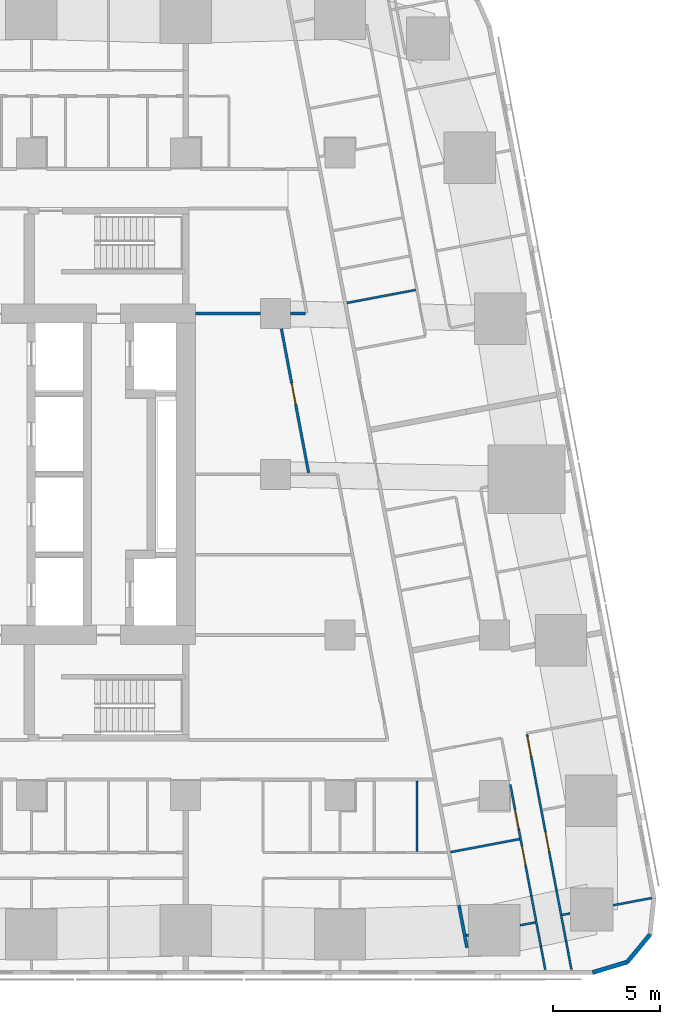
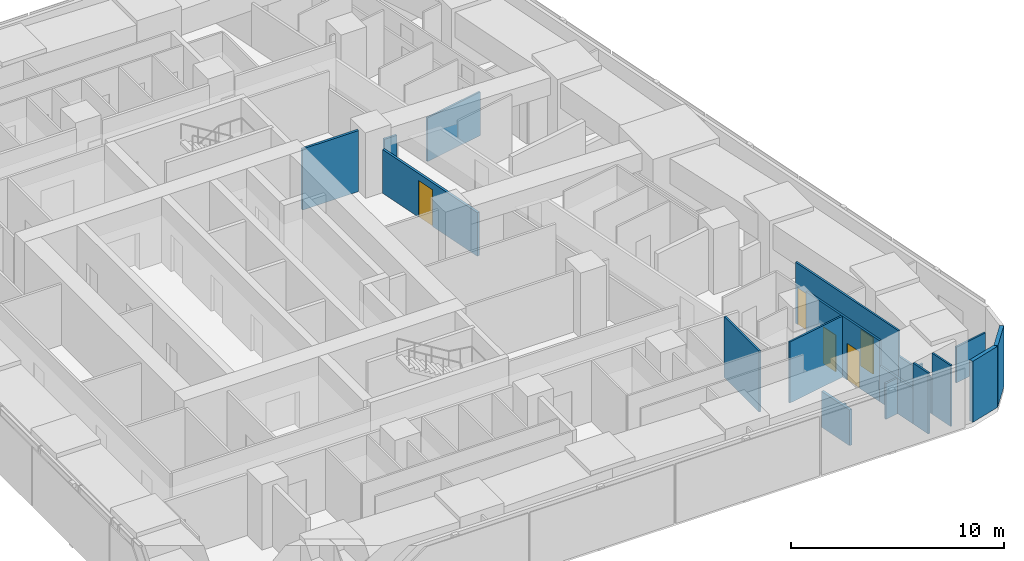
# One storey, part 13 of 19: 19 walls, 5 doors, 5 openings.
"""IFC4 building model written with IfcOpenShell, lengths in metres."""

from ifc_helpers import new_model, si_unit, direction, frame, frame_2d, origin, place, context, subcontext, project, spatial, rectangle, extrude, material, layer, layer_set, type_object, element, fill, save


model = new_model("IFC4")

# Units and contexts
model_context = context("Model", 3, precision=1e-05, world=origin(), true_north=direction((0.0, 1.0)))
body_context = subcontext(model_context, "Body", "Model", "MODEL_VIEW")
ifc_project = project(units=[si_unit("LENGTHUNIT", "METRE"), si_unit("AREAUNIT", "SQUARE_METRE"), si_unit("VOLUMEUNIT", "CUBIC_METRE"), si_unit("PLANEANGLEUNIT", "RADIAN"), si_unit("MASSUNIT", "GRAM", prefix="KILO")], contexts=[model_context])

# Site, building, storey
site_placement = place(None, origin())
site = spatial("IfcSite", under=ifc_project, at=site_placement, CompositionType="ELEMENT")
building_placement = place(site_placement, origin())
building = spatial("IfcBuilding", under=site, at=building_placement, Name="Sheger Commons Tower", CompositionType="ELEMENT")
storey_placement = place(building_placement, frame((0.0, 0.0, 197.449951171875)))
storey = spatial("IfcBuildingStorey", under=building, at=storey_placement, Name="L50", CompositionType="ELEMENT", Elevation=197.449951171875)

# Walls
ifc_material_1 = material(Name="Hollow concrete block masonry, skimmed both sides", Category="masonry")
ifc_layer_1 = layer(ifc_material_1, 0.14990234375)
ifc_layer_set_1 = layer_set([ifc_layer_1], Name="CORRIDOR WALL 150")
wall_type_1 = type_object("IfcWallType", Name="CORRIDOR WALL 150", PredefinedType="SOLIDWALL", material=ifc_layer_set_1)
wall_1_placement = place(storey_placement, frame((41.552001953125, 2.39208984375, 0.0), z_axis=(0.0, 0.0, 1.0), x_axis=(0.185535500323, -0.982637561932, 0.0)))
element("IfcWall", 1, at=wall_1_placement, inside=storey, type_object=wall_type_1, Name="Corridor wall L50", PredefinedType="SOLIDWALL", context=body_context, shape_type="SweptSolid", body=[
    extrude(rectangle(XDim=2.021240234375, YDim=0.14990234375, at=frame_2d((1.0107421875, 0.0))), origin(), (0.0, 0.0, 1.0), 2.050048828125),
])
ifc_material_2 = material(Name="Rendered concrete block masonry, dark grey", Category="masonry")
ifc_layer_2 = layer(ifc_material_2, 0.199951171875)
ifc_layer_set_2 = layer_set([ifc_layer_2], Name="FACADE WALL 200")
wall_type_2 = type_object("IfcWallType", Name="FACADE WALL 200", PredefinedType="SOLIDWALL", material=ifc_layer_set_2)
wall_2_placement = place(storey_placement, frame((47.791015625, -0.75, 0.0), z_axis=(0.0, 0.0, 1.0), x_axis=(0.957455232626, 0.288581838509, 0.0)))
element("IfcWall", 2, at=wall_2_placement, inside=storey, type_object=wall_type_2, Name="Facade wall L50", PredefinedType="SOLIDWALL", context=body_context, shape_type="SweptSolid", body=[
    extrude(rectangle(XDim=1.687744140625, YDim=0.199951171875, at=frame_2d((0.84375, 0.0))), origin(), (0.0, 0.0, 1.0), 3.5),
])
wall_3_placement = place(storey_placement, frame((49.406982421875, -0.262939453125, 0.0), z_axis=(0.0, 0.0, 1.0), x_axis=(0.638042593423, 0.770001070764, 0.0)))
element("IfcWall", 3, at=wall_3_placement, inside=storey, type_object=wall_type_2, Name="Facade wall L50", PredefinedType="SOLIDWALL", context=body_context, shape_type="SweptSolid", body=[
    extrude(rectangle(XDim=1.672607421875, YDim=0.199951171875, at=frame_2d((0.83642578125, 0.0))), origin(), (0.0, 0.0, 1.0), 3.5),
])
ifc_material_3 = material(Name="Gypsum board on steel studs", Category="steel")
ifc_layer_3 = layer(ifc_material_3, 0.10009765625)
ifc_layer_set_3 = layer_set([ifc_layer_3], Name="PARTITION 100")
wall_type_3 = type_object("IfcWallType", Name="PARTITION 100", PredefinedType="PARTITIONING", material=ifc_layer_set_3)
wall_4_placement = place(storey_placement, frame((39.60009765625, 4.89990234375, 0.0), z_axis=(0.0, 0.0, 1.0), x_axis=(0.0, 1.0, 0.0)))
element("IfcWall", 4, at=wall_4_placement, inside=storey, type_object=wall_type_3, Name="Partition L50", PredefinedType="PARTITIONING", context=body_context, shape_type="SweptSolid", body=[
    extrude(rectangle(XDim=3.275146484375, YDim=0.10009765625, at=frame_2d((1.6376953125, 0.0))), origin(), (0.0, 0.0, 1.0), 3.5),
])
wall_5_placement = place(storey_placement, frame((39.5380859375, 31.10400390625, 0.0), z_axis=(0.0, 0.0, 1.0), x_axis=(-0.982620626894, -0.185625169636, 0.0)))
element("IfcWall", 5, at=wall_5_placement, inside=storey, type_object=wall_type_3, Name="Partition L50", PredefinedType="PARTITIONING", context=body_context, shape_type="SweptSolid", body=[
    extrude(rectangle(XDim=3.27490234375, YDim=0.10009765625, at=frame_2d((1.637451171875, 0.0))), origin(), (0.0, 0.0, 1.0), 2.5),
])

# Wall, openings, doors
wall_6_placement = place(storey_placement, frame((44.72705078125, 10.365966796875, 0.0), z_axis=(0.0, 0.0, 1.0), x_axis=(0.185678775129, -0.982610498858, 0.0)))
wall_6 = element("IfcWall", 6, at=wall_6_placement, inside=storey, type_object=wall_type_3, Name="Partition L50", PredefinedType="PARTITIONING", context=body_context, shape_type="SweptSolid", body=[
    extrude(rectangle(XDim=7.421142578125, YDim=0.10009765625, at=frame_2d((3.71044921875, 0.0))), origin(), (0.0, 0.0, 1.0), 3.5),
])
opening_1_placement = place(wall_6_placement, frame((0.15087890625, 0.0, 0.0)))
opening_1 = element("IfcOpeningElement", 7, at=opening_1_placement, cuts=wall_6, Name="Opening D2", PredefinedType="OPENING", context=body_context, shape_type="SweptSolid", body=[
    extrude(rectangle(XDim=0.89990234375, YDim=2.10009765625, at=frame_2d((0.449951171875, 1.050048828125))), frame((0.0, 0.06005859375, 0.0), z_axis=(0.0, -1.0, 0.0), x_axis=(1.0, 0.0, 0.0)), (0.0, 0.0, 1.0), 0.1201171875),
])
opening_2_placement = place(wall_6_placement, frame((4.64990234375, 0.0, 0.0)))
opening_2 = element("IfcOpeningElement", 8, at=opening_2_placement, cuts=wall_6, Name="Opening D2", PredefinedType="OPENING", context=body_context, shape_type="SweptSolid", body=[
    extrude(rectangle(XDim=0.89990234375, YDim=2.10009765625, at=frame_2d((0.449951171875, 1.050048828125))), frame((0.0, 0.06005859375, 0.0), z_axis=(0.0, -1.0, 0.0), x_axis=(1.0, 0.0, 0.0)), (0.0, 0.0, 1.0), 0.1201171875),
])
ifc_material_4 = material(Name="Timber door set", Category="wood")
door_type_1 = type_object("IfcDoorType", Name="INTERNAL DOOR 900x2100", OperationType="NOTDEFINED", PredefinedType="DOOR", material=ifc_material_4)
door_1_placement = place(opening_1_placement, origin())
door_1 = element("IfcDoor", 9, at=door_1_placement, inside=storey, type_object=door_type_1, Name="Main bedroom door", OperationType="SINGLE_SWING_LEFT", OverallHeight=2.10009765625, OverallWidth=0.89990234375, PredefinedType="DOOR", context=body_context, shape_type="SweptSolid", body=[
    extrude(rectangle(XDim=0.89990234375, YDim=2.10009765625, at=frame_2d((0.449951171875, 1.050048828125))), frame((0.0, 0.02490234375, 0.0), z_axis=(0.0, -1.0, 0.0), x_axis=(1.0, 0.0, 0.0)), (0.0, 0.0, 1.0), 0.050048828125),
])
fill(opening_1, door_1)
door_2_placement = place(opening_2_placement, origin())
door_2 = element("IfcDoor", 10, at=door_2_placement, inside=storey, type_object=door_type_1, Name="Bedroom 2 door", OperationType="SINGLE_SWING_LEFT", OverallHeight=2.10009765625, OverallWidth=0.89990234375, PredefinedType="DOOR", context=body_context, shape_type="SweptSolid", body=[
    extrude(rectangle(XDim=0.89990234375, YDim=2.10009765625, at=frame_2d((0.449951171875, 1.050048828125))), frame((0.0, 0.02490234375, 0.0), z_axis=(0.0, -1.0, 0.0), x_axis=(1.0, 0.0, 0.0)), (0.0, 0.0, 1.0), 0.050048828125),
])
fill(opening_2, door_2)

# Walls
wall_7_placement = place(storey_placement, frame((46.10498046875, 3.073974609375, 0.0), z_axis=(0.0, 0.0, 1.0), x_axis=(0.185631845838, -0.982619365681, 0.0)))
element("IfcWall", 11, at=wall_7_placement, inside=storey, type_object=wall_type_3, Name="Partition L50", PredefinedType="PARTITIONING", context=body_context, shape_type="SweptSolid", body=[
    extrude(rectangle(XDim=2.40283203125, YDim=0.10009765625, at=frame_2d((1.201416015625, 0.0))), origin(), (0.0, 0.0, 1.0), 2.050048828125),
])
wall_8_placement = place(storey_placement, frame((46.551025390625, 0.712890625, 0.0), z_axis=(0.0, 0.0, 1.0), x_axis=(0.185407859198, -0.982661653748, 0.0)))
element("IfcWall", 12, at=wall_8_placement, inside=storey, type_object=wall_type_3, Name="Partition L50", PredefinedType="PARTITIONING", context=body_context, shape_type="SweptSolid", body=[
    extrude(rectangle(XDim=1.343017578125, YDim=0.10009765625, at=frame_2d((0.67138671875, 0.0))), origin(), (0.0, 0.0, 1.0), 3.5),
])

# Wall, openings, doors
wall_9_placement = place(storey_placement, frame((43.948974609375, 8.02001953125, 0.0), z_axis=(0.0, 0.0, 1.0), x_axis=(0.185656792073, -0.982614652627, 0.0)))
wall_9 = element("IfcWall", 13, at=wall_9_placement, inside=storey, type_object=wall_type_3, Name="Partition L50", PredefinedType="PARTITIONING", context=body_context, shape_type="SweptSolid", body=[
    extrude(rectangle(XDim=5.2890625, YDim=0.10009765625, at=frame_2d((2.64453125, 0.0))), origin(), (0.0, 0.0, 1.0), 3.5),
])
opening_3_placement = place(wall_9_placement, frame((1.199951171875, 0.0, 0.0)))
opening_3 = element("IfcOpeningElement", 14, at=opening_3_placement, cuts=wall_9, Name="Opening D2", PredefinedType="OPENING", context=body_context, shape_type="SweptSolid", body=[
    extrude(rectangle(XDim=0.89990234375, YDim=2.10009765625, at=frame_2d((0.449951171875, 1.050048828125))), frame((0.0, 0.06005859375, 0.0), z_axis=(0.0, -1.0, 0.0), x_axis=(1.0, 0.0, 0.0)), (0.0, 0.0, 1.0), 0.1201171875),
])
opening_4_placement = place(wall_9_placement, frame((2.93505859375, 0.0, 0.0)))
opening_4 = element("IfcOpeningElement", 15, at=opening_4_placement, cuts=wall_9, Name="Opening D2", PredefinedType="OPENING", context=body_context, shape_type="SweptSolid", body=[
    extrude(rectangle(XDim=0.89990234375, YDim=2.10009765625, at=frame_2d((0.449951171875, 1.050048828125))), frame((0.0, 0.06005859375, 0.0), z_axis=(0.0, -1.0, 0.0), x_axis=(1.0, 0.0, 0.0)), (0.0, 0.0, 1.0), 0.1201171875),
])
door_3_placement = place(opening_3_placement, origin())
door_3 = element("IfcDoor", 16, at=door_3_placement, inside=storey, type_object=door_type_1, Name="Bathroom door", OperationType="SINGLE_SWING_LEFT", OverallHeight=2.10009765625, OverallWidth=0.89990234375, PredefinedType="DOOR", context=body_context, shape_type="SweptSolid", body=[
    extrude(rectangle(XDim=0.89990234375, YDim=2.10009765625, at=frame_2d((0.449951171875, 1.050048828125))), frame((0.0, 0.02490234375, 0.0), z_axis=(0.0, -1.0, 0.0), x_axis=(1.0, 0.0, 0.0)), (0.0, 0.0, 1.0), 0.050048828125),
])
fill(opening_3, door_3)
door_4_placement = place(opening_4_placement, origin())
door_4 = element("IfcDoor", 17, at=door_4_placement, inside=storey, type_object=door_type_1, Name="Store door", OperationType="SINGLE_SWING_RIGHT", OverallHeight=2.10009765625, OverallWidth=0.89990234375, PredefinedType="DOOR", context=body_context, shape_type="SweptSolid", body=[
    extrude(rectangle(XDim=0.89990234375, YDim=2.10009765625, at=frame_2d((0.449951171875, 1.050048828125))), frame((0.0, 0.02490234375, 0.0), z_axis=(0.0, -1.0, 0.0), x_axis=(1.0, 0.0, 0.0)), (0.0, 0.0, 1.0), 0.050048828125),
])
fill(opening_4, door_4)

# Walls
wall_10_placement = place(storey_placement, frame((44.930908203125, 2.822998046875, 0.0), z_axis=(0.0, 0.0, 1.0), x_axis=(0.185631845838, -0.982619365681, 0.0)))
element("IfcWall", 18, at=wall_10_placement, inside=storey, type_object=wall_type_3, Name="Partition L50", PredefinedType="PARTITIONING", context=body_context, shape_type="SweptSolid", body=[
    extrude(rectangle(XDim=2.40283203125, YDim=0.10009765625, at=frame_2d((1.201416015625, 0.0))), origin(), (0.0, 0.0, 1.0), 2.050048828125),
])
wall_11_placement = place(storey_placement, frame((45.376953125, 0.4619140625, 0.0), z_axis=(0.0, 0.0, 1.0), x_axis=(0.185513480919, -0.982641719243, 0.0)))
element("IfcWall", 19, at=wall_11_placement, inside=storey, type_object=wall_type_3, Name="Partition L50", PredefinedType="PARTITIONING", context=body_context, shape_type="SweptSolid", body=[
    extrude(rectangle(XDim=1.094970703125, YDim=0.10009765625, at=frame_2d((0.54736328125, 0.0))), origin(), (0.0, 0.0, 1.0), 3.5),
])
wall_12_placement = place(storey_placement, frame((50.547119140625, 2.72607421875, 0.0), z_axis=(0.0, 0.0, 1.0), x_axis=(-0.982603988143, -0.185713226471, 0.0)))
element("IfcWall", 20, at=wall_12_placement, inside=storey, type_object=wall_type_3, Name="Partition L50", PredefinedType="PARTITIONING", context=body_context, shape_type="SweptSolid", body=[
    extrude(rectangle(XDim=1.82080078125, YDim=0.10009765625, at=frame_2d((0.910400390625, 0.0))), origin(), (0.0, 0.0, 1.0), 2.050048828125),
])
wall_13_placement = place(storey_placement, frame((46.738037109375, 2.006103515625, 0.0), z_axis=(0.0, 0.0, 1.0), x_axis=(-0.982820466874, -0.184564161994, 0.0)))
element("IfcWall", 21, at=wall_13_placement, inside=storey, type_object=wall_type_3, Name="Partition L50", PredefinedType="PARTITIONING", context=body_context, shape_type="SweptSolid", body=[
    extrude(rectangle(XDim=0.374267578125, YDim=0.10009765625, at=frame_2d((0.18701171875, 0.0))), origin(), (0.0, 0.0, 1.0), 2.050048828125),
])
wall_14_placement = place(storey_placement, frame((45.114013671875, 1.5869140625, 0.0), z_axis=(0.0, 0.0, 1.0), x_axis=(-0.982671022916, -0.185358195723, 0.0)))
element("IfcWall", 22, at=wall_14_placement, inside=storey, type_object=wall_type_3, Name="Partition L50", PredefinedType="PARTITIONING", context=body_context, shape_type="SweptSolid", body=[
    extrude(rectangle(XDim=0.716552734375, YDim=0.10009765625, at=frame_2d((0.3583984375, 0.0))), origin(), (0.0, 0.0, 1.0), 2.050048828125),
])
wall_15_placement = place(storey_placement, frame((41.989990234375, 0.9970703125, 0.0), z_axis=(0.0, 0.0, 1.0), x_axis=(-0.982382747416, -0.186880008506, 0.0)))
element("IfcWall", 23, at=wall_15_placement, inside=storey, type_object=wall_type_3, Name="Partition L50", PredefinedType="PARTITIONING", context=body_context, shape_type="SweptSolid", body=[
    extrude(rectangle(XDim=0.0966796875, YDim=0.10009765625, at=frame_2d((0.04833984375, 0.0))), origin(), (0.0, 0.0, 1.0), 2.050048828125),
])
wall_16_placement = place(storey_placement, frame((44.37890625, 5.47412109375, 0.0), z_axis=(0.0, 0.0, 1.0), x_axis=(-0.982607026909, -0.185697147715, 0.0)))
element("IfcWall", 24, at=wall_16_placement, inside=storey, type_object=wall_type_3, Name="Partition L50", PredefinedType="PARTITIONING", context=body_context, shape_type="SweptSolid", body=[
    extrude(rectangle(XDim=3.27490234375, YDim=0.10009765625, at=frame_2d((1.637451171875, 0.0))), origin(), (0.0, 0.0, 1.0), 3.5),
])

# Wall, opening, door
ifc_material_5 = material(Name="Gypsum board on steel studs, two layers each side, fire rated", Category="steel")
ifc_layer_4 = layer(ifc_material_5, 0.125)
ifc_layer_set_4 = layer_set([ifc_layer_4], Name="SERVICE WALL 125")
wall_type_4 = type_object("IfcWallType", Name="SERVICE WALL 125", PredefinedType="PARTITIONING", material=ifc_layer_set_4)
wall_17_placement = place(storey_placement, frame((34.534912109375, 22.573974609375, 0.0), z_axis=(0.0, 0.0, 1.0), x_axis=(-0.185576487128, 0.982629822174, 0.0)))
wall_17 = element("IfcWall", 25, at=wall_17_placement, inside=storey, type_object=wall_type_4, Name="Service room wall L50", PredefinedType="PARTITIONING", context=body_context, shape_type="SweptSolid", body=[
    extrude(rectangle(XDim=6.831787109375, YDim=0.125, at=frame_2d((3.416015625, 0.0))), origin(), (0.0, 0.0, 1.0), 2.5),
])
opening_5_placement = place(wall_17_placement, frame((3.240966796875, 0.0, 0.0)))
opening_5 = element("IfcOpeningElement", 26, at=opening_5_placement, cuts=wall_17, Name="Opening D4", PredefinedType="OPENING", context=body_context, shape_type="SweptSolid", body=[
    extrude(rectangle(XDim=1.0, YDim=2.10009765625, at=frame_2d((0.5, 1.050048828125))), frame((0.0, 0.072509765625, 0.0), z_axis=(0.0, -1.0, 0.0), x_axis=(1.0, 0.0, 0.0)), (0.0, 0.0, 1.0), 0.14501953125),
])
ifc_material_6 = material(Name="Steel door set, fire rated", Category="steel")
door_type_2 = type_object("IfcDoorType", Name="SERVICE DOOR 1000x2100", OperationType="NOTDEFINED", PredefinedType="DOOR", material=ifc_material_6)
door_5_placement = place(opening_5_placement, origin())
door_5 = element("IfcDoor", 27, at=door_5_placement, inside=storey, type_object=door_type_2, Name="Residents' lounge door", OperationType="SINGLE_SWING_RIGHT", OverallHeight=2.10009765625, OverallWidth=1.0, PredefinedType="DOOR", context=body_context, shape_type="SweptSolid", body=[
    extrude(rectangle(XDim=1.0, YDim=2.10009765625, at=frame_2d((0.5, 1.050048828125))), frame((0.0, 0.02490234375, 0.0), z_axis=(0.0, -1.0, 0.0), x_axis=(1.0, 0.0, 0.0)), (0.0, 0.0, 1.0), 0.050048828125),
])
fill(opening_5, door_5)

# Walls
wall_18_placement = place(storey_placement, frame((29.25, 30.0, 0.0), z_axis=(0.0, 0.0, 1.0), x_axis=(1.0, 0.0, 0.0)))
element("IfcWall", 28, at=wall_18_placement, inside=storey, type_object=wall_type_4, Name="Service room wall L50", PredefinedType="PARTITIONING", context=body_context, shape_type="SweptSolid", body=[
    extrude(rectangle(XDim=3.049072265625, YDim=0.125, at=frame_2d((1.5244140625, 0.0))), origin(), (0.0, 0.0, 1.0), 3.5),
])
wall_19_placement = place(storey_placement, frame((33.700927734375, 30.0, 0.0), z_axis=(0.0, 0.0, 1.0), x_axis=(1.0, 0.0, 0.0)))
element("IfcWall", 29, at=wall_19_placement, inside=storey, type_object=wall_type_4, Name="Service room wall L50", PredefinedType="PARTITIONING", context=body_context, shape_type="SweptSolid", body=[
    extrude(rectangle(XDim=0.678955078125, YDim=0.125, at=frame_2d((0.33935546875, 0.0))), origin(), (0.0, 0.0, 1.0), 2.5),
])

save(model, "model.ifc")
